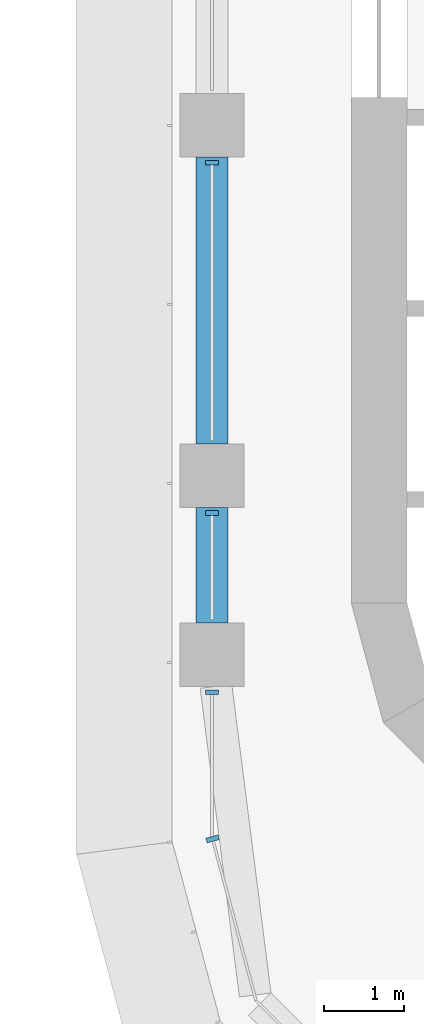
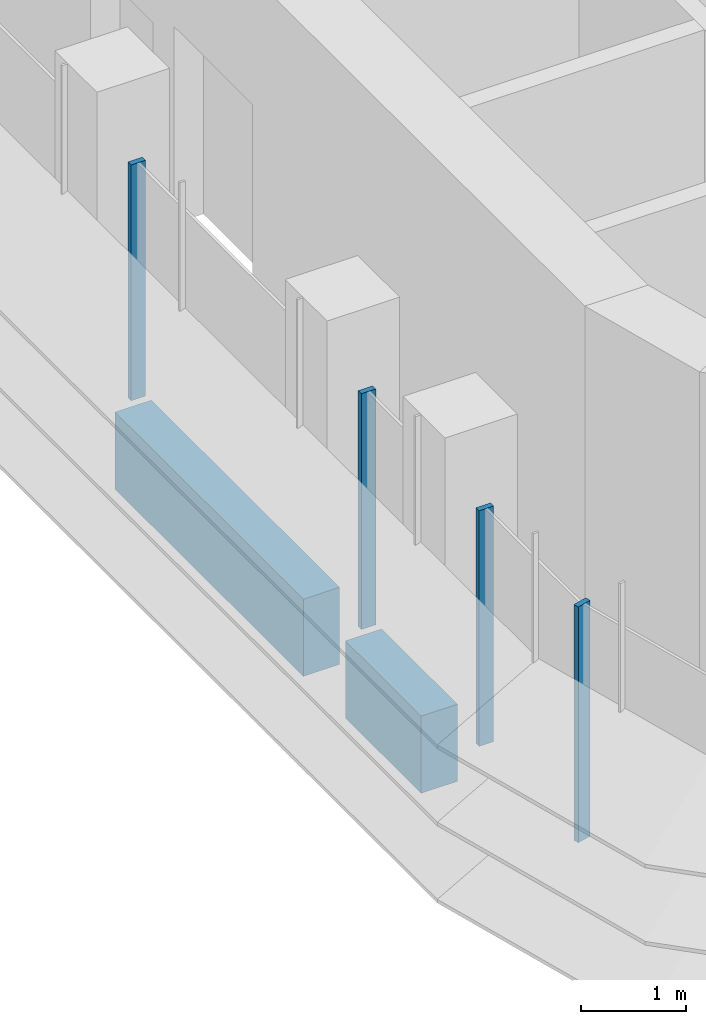
# One storey, part 2 of 20: 4 members, 2 beams, 2 elements without a shape of their own.
"""IFC4 building model written with IfcOpenShell, lengths in metres."""

from ifc_helpers import new_model, si_unit, direction, frame, origin, origin_2d, place, context, subcontext, project, spatial, polyline, rectangle, outline, extrude, source, transform, mapped, material, material_profile, profile_set, type_object, element, aggregate, save


model = new_model("IFC4")

# Units and contexts
model_context = context("Model", 3, precision=1e-05, world=origin(), true_north=direction((0.0, 1.0)))
body_context = subcontext(model_context, "Body", "Model", "MODEL_VIEW")
ifc_project = project(units=[si_unit("LENGTHUNIT", "METRE"), si_unit("AREAUNIT", "SQUARE_METRE"), si_unit("VOLUMEUNIT", "CUBIC_METRE"), si_unit("PLANEANGLEUNIT", "RADIAN"), si_unit("MASSUNIT", "GRAM", prefix="KILO")], contexts=[model_context])

# Site, building, storey
site_placement = place(None, origin())
site = spatial("IfcSite", under=ifc_project, at=site_placement, CompositionType="ELEMENT")
building_placement = place(site_placement, origin())
building = spatial("IfcBuilding", under=site, at=building_placement, Name="Zarbagh Exchange Tower", CompositionType="ELEMENT")
storey_placement = place(building_placement, frame((0.0, 0.0, 141.0)))
storey = spatial("IfcBuildingStorey", under=building, at=storey_placement, Name="L33", CompositionType="ELEMENT", Elevation=141.0)

# Beams
ifc_material_1 = material(Name="Concrete C50/60", Category="concrete")
ifc_material_profile = material_profile(ifc_material_1, rectangle(XDim=0.39990234375, YDim=0.89990234375, at=origin_2d()), Name="RC spandrel beam 400 x 900 C50/60")
ifc_profile_set = profile_set([ifc_material_profile], Name="Concrete C50/60")
beam_type = type_object("IfcBeamType", Name="RC spandrel beam 400 x 900 C50/60", PredefinedType="SPANDREL", material=ifc_profile_set)
beam_1_placement = place(storey_placement, frame((-6.25, -26.5, -0.60009765625), z_axis=(0.0, 1.0, 0.0), x_axis=(-1.0, 0.0, 0.0)))
element("IfcBeam", 1, at=beam_1_placement, inside=storey, type_object=beam_type, Name="RC spandrel beam", PredefinedType="SPANDREL", context=body_context, shape_type="SweptSolid", body=[
    extrude(rectangle(XDim=0.39990234375, YDim=0.89990234375, at=origin_2d()), origin(), (0.0, 0.0, 1.0), 1.449951171875),
])
beam_2_placement = place(storey_placement, frame((-6.25, -24.25, -0.60009765625), z_axis=(0.0, 1.0, 0.0), x_axis=(-1.0, 0.0, 0.0)))
element("IfcBeam", 2, at=beam_2_placement, inside=storey, type_object=beam_type, Name="RC spandrel beam", PredefinedType="SPANDREL", context=body_context, shape_type="SweptSolid", body=[
    extrude(rectangle(XDim=0.39990234375, YDim=0.89990234375, at=origin_2d()), origin(), (0.0, 0.0, 1.0), 3.60009765625),
])

# Curtain wall, members
ifc_material_2 = material(Name="Anodised aluminium frame and glazing", Category="aluminium")
curtain_wall_type = type_object("IfcCurtainWallType", Name="CWB Ribbon glazing, upper zones", PredefinedType="NOTDEFINED", material=ifc_material_2)
curtain_wall_1_placement = place(storey_placement, origin())
curtain_wall_1 = element("IfcCurtainWall", 3, at=curtain_wall_1_placement, inside=storey, type_object=curtain_wall_type, Name="CWB44 curtain wall", PredefinedType="NOTDEFINED")
ifc_material_3 = material(Name="Anodised aluminium frame", Category="aluminium")
member_type = type_object("IfcMemberType", Name="MUB Mullion, anodised aluminium frame", PredefinedType="MULLION", material=ifc_material_3)
shared_shape = source(origin(), body_context, "Body", "SweptSolid", [
    extrude(outline(polyline([(0.0, -0.080078125), (0.06005859375, -0.080078125), (0.06005859375, 0.080078125), (0.0, 0.080078125), (0.0, -0.080078125)])), origin(), (0.0, 0.0, 1.0), 2.75),
])
placement = place(storey_placement, origin())
member_1 = element("IfcMember", 4, at=placement, type_object=member_type, Name="CWB44 mullion 3.1", PredefinedType="MULLION", context=body_context, shape_type="MappedRepresentation", body=[
    mapped(shared_shape, transform((-6.25, -20.68994140625, 0.0), x_axis=(0.0, -1.0, 0.0), y_axis=(1.0, 0.0, 0.0), z_axis=(0.0, 0.0, 1.0))),
])
member_2 = element("IfcMember", 5, at=placement, type_object=member_type, Name="CWB44 mullion 4.1", PredefinedType="MULLION", context=body_context, shape_type="MappedRepresentation", body=[
    mapped(shared_shape, transform((-6.25, -25.090087890625, 0.0), x_axis=(0.0, -1.0, 0.0), y_axis=(1.0, 0.0, 0.0), z_axis=(0.0, 0.0, 1.0))),
])
member_3 = element("IfcMember", 6, at=placement, type_object=member_type, Name="CWB44 mullion 5.1", PredefinedType="MULLION", context=body_context, shape_type="MappedRepresentation", body=[
    mapped(shared_shape, transform((-6.25, -27.340087890625, 0.0), x_axis=(0.0, -1.0, 0.0), y_axis=(1.0, 0.0, 0.0), z_axis=(0.0, 0.0, 1.0))),
])
aggregate(curtain_wall_1, [member_1, member_2, member_3])

# Curtain wall, member
curtain_wall_2_placement = place(storey_placement, origin())
curtain_wall_2 = element("IfcCurtainWall", 7, at=curtain_wall_2_placement, inside=storey, type_object=curtain_wall_type, Name="CWB45 curtain wall", PredefinedType="NOTDEFINED")
member_4 = element("IfcMember", 8, at=placement, type_object=member_type, Name="CWB45 mullion 1.1", PredefinedType="MULLION", context=body_context, shape_type="MappedRepresentation", body=[
    mapped(shared_shape, transform((-6.25, -29.18408203125, 0.0), x_axis=(0.258824779902, -0.965924289636, 0.0), y_axis=(0.965924289636, 0.258824779902, 0.0), z_axis=(0.0, 0.0, 1.0))),
])
aggregate(curtain_wall_2, [member_4])

save(model, "model.ifc")
